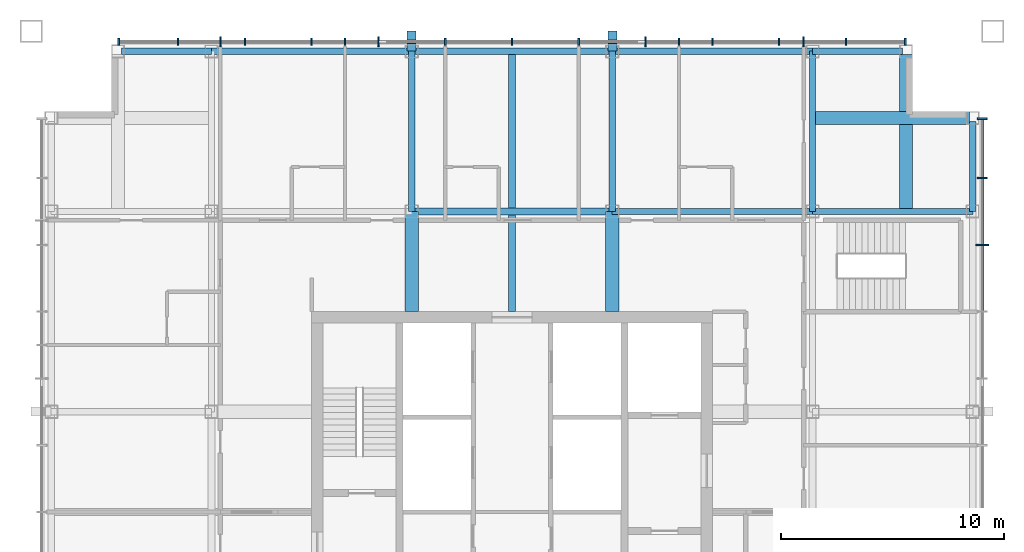
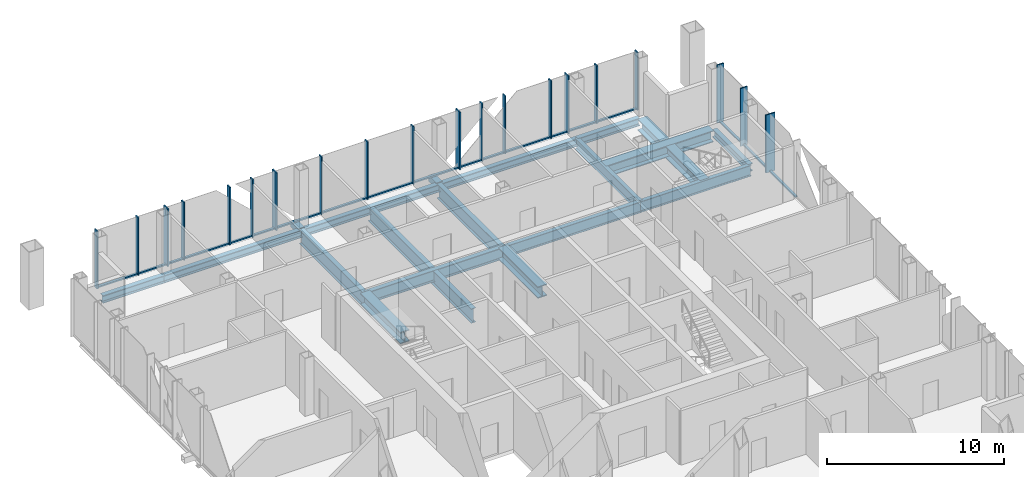
# One storey, part 5 of 13: 41 members, 17 beams, 2 elements without a shape of their own.
"""IFC4 building model written with IfcOpenShell, lengths in metres."""

from ifc_helpers import new_model, si_unit, direction, frame, origin, origin_2d, place, context, subcontext, project, spatial, rectangle, hollow_rectangle, i_section, extrude, material, layer, layer_set, material_profile, profile_set, type_object, element, aggregate, save


model = new_model("IFC4")

# Units and contexts
model_context = context("Model", 3, precision=1e-05, world=origin(), true_north=direction((0.0, 1.0)))
body_context = subcontext(model_context, "Body", "Model", "MODEL_VIEW")
ifc_project = project(units=[si_unit("LENGTHUNIT", "METRE"), si_unit("AREAUNIT", "SQUARE_METRE"), si_unit("VOLUMEUNIT", "CUBIC_METRE"), si_unit("PLANEANGLEUNIT", "RADIAN"), si_unit("MASSUNIT", "GRAM", prefix="KILO")], contexts=[model_context])

# Site, building, storey
site_placement = place(None, origin())
site = spatial("IfcSite", under=ifc_project, at=site_placement, CompositionType="ELEMENT")
building_placement = place(site_placement, origin())
building = spatial("IfcBuilding", under=site, at=building_placement, Name="Malebo Sky Hospital", CompositionType="ELEMENT")
storey_placement = place(building_placement, frame((0.0, 0.0, 274.0)))
storey = spatial("IfcBuildingStorey", under=building, at=storey_placement, Name="L66", CompositionType="ELEMENT", Elevation=274.0)

# Curtain wall, members
ifc_material_1 = material(Name="Anodised aluminium, natural silver", Category="aluminium")
ifc_layer_1 = layer(ifc_material_1, 0.25)
ifc_layer_set_1 = layer_set([ifc_layer_1], Name="WARD CURTAIN WALL NORTH AND SOUTH")
curtain_wall_type_1 = type_object("IfcCurtainWallType", Name="WARD CURTAIN WALL NORTH AND SOUTH", PredefinedType="NOTDEFINED", material=ifc_layer_set_1)
curtain_wall_1_placement = place(storey_placement, origin())
curtain_wall_1 = element("IfcCurtainWall", 1, at=curtain_wall_1_placement, inside=storey, type_object=curtain_wall_type_1, Name="NS curtain wall N", PredefinedType="NOTDEFINED")
ifc_material_profile_1 = material_profile(ifc_material_1, rectangle(XDim=0.14990234375, YDim=0.10009765625, at=origin_2d()), Name="ALUMINIUM TRANSOM 150x100")
ifc_profile_set_1 = profile_set([ifc_material_profile_1], Name="Anodised aluminium, natural silver")
member_type_1 = type_object("IfcMemberType", Name="ALUMINIUM TRANSOM 150x100", PredefinedType="USERDEFINED", material=ifc_profile_set_1)
member_1_placement = place(storey_placement, frame((42.375, 83.125, 0.050048828125), z_axis=(1.0, 0.0, 0.0), x_axis=(0.0, 1.0, 0.0)))
member_1 = element("IfcMember", 2, at=member_1_placement, type_object=member_type_1, Name="Transom 1", ObjectType="TRANSOM", PredefinedType="USERDEFINED", context=body_context, shape_type="SweptSolid", body=[
    extrude(rectangle(XDim=0.14990234375, YDim=0.10009765625, at=origin_2d()), origin(), (0.0, 0.0, 1.0), 2.58740234375),
])
member_2_placement = place(storey_placement, frame((45.03759765625, 83.125, 0.050048828125), z_axis=(1.0, 0.0, 0.0), x_axis=(0.0, 1.0, 0.0)))
member_2 = element("IfcMember", 3, at=member_2_placement, type_object=member_type_1, Name="Transom 2", ObjectType="TRANSOM", PredefinedType="USERDEFINED", context=body_context, shape_type="SweptSolid", body=[
    extrude(rectangle(XDim=0.14990234375, YDim=0.10009765625, at=origin_2d()), origin(), (0.0, 0.0, 1.0), 1.824951171875),
])
member_3_placement = place(storey_placement, frame((46.9375, 83.125, 0.050048828125), z_axis=(1.0, 0.0, 0.0), x_axis=(0.0, 1.0, 0.0)))
member_3 = element("IfcMember", 4, at=member_3_placement, type_object=member_type_1, Name="Transom 3", ObjectType="TRANSOM", PredefinedType="USERDEFINED", context=body_context, shape_type="SweptSolid", body=[
    extrude(rectangle(XDim=0.14990234375, YDim=0.10009765625, at=origin_2d()), origin(), (0.0, 0.0, 1.0), 1.02490234375),
])
member_4_placement = place(storey_placement, frame((48.03759765625, 83.125, 0.050048828125), z_axis=(1.0, 0.0, 0.0), x_axis=(0.0, 1.0, 0.0)))
member_4 = element("IfcMember", 5, at=member_4_placement, type_object=member_type_1, Name="Transom 4", ObjectType="TRANSOM", PredefinedType="USERDEFINED", context=body_context, shape_type="SweptSolid", body=[
    extrude(rectangle(XDim=0.14990234375, YDim=0.10009765625, at=origin_2d()), origin(), (0.0, 0.0, 1.0), 2.9248046875),
])
member_5_placement = place(storey_placement, frame((51.03759765625, 83.125, 0.050048828125), z_axis=(1.0, 0.0, 0.0), x_axis=(0.0, 1.0, 0.0)))
member_5 = element("IfcMember", 6, at=member_5_placement, type_object=member_type_1, Name="Transom 5", ObjectType="TRANSOM", PredefinedType="USERDEFINED", context=body_context, shape_type="SweptSolid", body=[
    extrude(rectangle(XDim=0.14990234375, YDim=0.10009765625, at=origin_2d()), origin(), (0.0, 0.0, 1.0), 1.4248046875),
])
member_6_placement = place(storey_placement, frame((52.53759765625, 83.125, 0.050048828125), z_axis=(1.0, 0.0, 0.0), x_axis=(0.0, 1.0, 0.0)))
member_6 = element("IfcMember", 7, at=member_6_placement, type_object=member_type_1, Name="Transom 6", ObjectType="TRANSOM", PredefinedType="USERDEFINED", context=body_context, shape_type="SweptSolid", body=[
    extrude(rectangle(XDim=0.14990234375, YDim=0.10009765625, at=origin_2d()), origin(), (0.0, 0.0, 1.0), 1.4248046875),
])
member_7_placement = place(storey_placement, frame((54.03759765625, 83.125, 0.050048828125), z_axis=(1.0, 0.0, 0.0), x_axis=(0.0, 1.0, 0.0)))
member_7 = element("IfcMember", 8, at=member_7_placement, type_object=member_type_1, Name="Transom 7", ObjectType="TRANSOM", PredefinedType="USERDEFINED", context=body_context, shape_type="SweptSolid", body=[
    extrude(rectangle(XDim=0.14990234375, YDim=0.10009765625, at=origin_2d()), origin(), (0.0, 0.0, 1.0), 2.9248046875),
])
member_8_placement = place(storey_placement, frame((57.03759765625, 83.125, 0.050048828125), z_axis=(1.0, 0.0, 0.0), x_axis=(0.0, 1.0, 0.0)))
member_8 = element("IfcMember", 9, at=member_8_placement, type_object=member_type_1, Name="Transom 8", ObjectType="TRANSOM", PredefinedType="USERDEFINED", context=body_context, shape_type="SweptSolid", body=[
    extrude(rectangle(XDim=0.14990234375, YDim=0.10009765625, at=origin_2d()), origin(), (0.0, 0.0, 1.0), 2.9248046875),
])
member_9_placement = place(storey_placement, frame((60.03759765625, 83.125, 0.050048828125), z_axis=(1.0, 0.0, 0.0), x_axis=(0.0, 1.0, 0.0)))
member_9 = element("IfcMember", 10, at=member_9_placement, type_object=member_type_1, Name="Transom 9", ObjectType="TRANSOM", PredefinedType="USERDEFINED", context=body_context, shape_type="SweptSolid", body=[
    extrude(rectangle(XDim=0.14990234375, YDim=0.10009765625, at=origin_2d()), origin(), (0.0, 0.0, 1.0), 2.9248046875),
])
member_10_placement = place(storey_placement, frame((63.03759765625, 83.125, 0.050048828125), z_axis=(1.0, 0.0, 0.0), x_axis=(0.0, 1.0, 0.0)))
member_10 = element("IfcMember", 11, at=member_10_placement, type_object=member_type_1, Name="Transom 10", ObjectType="TRANSOM", PredefinedType="USERDEFINED", context=body_context, shape_type="SweptSolid", body=[
    extrude(rectangle(XDim=0.14990234375, YDim=0.10009765625, at=origin_2d()), origin(), (0.0, 0.0, 1.0), 2.9248046875),
])
member_11_placement = place(storey_placement, frame((66.03759765625, 83.125, 0.050048828125), z_axis=(1.0, 0.0, 0.0), x_axis=(0.0, 1.0, 0.0)))
member_11 = element("IfcMember", 12, at=member_11_placement, type_object=member_type_1, Name="Transom 11", ObjectType="TRANSOM", PredefinedType="USERDEFINED", context=body_context, shape_type="SweptSolid", body=[
    extrude(rectangle(XDim=0.14990234375, YDim=0.10009765625, at=origin_2d()), origin(), (0.0, 0.0, 1.0), 1.4248046875),
])
member_12_placement = place(storey_placement, frame((67.53759765625, 83.125, 0.050048828125), z_axis=(1.0, 0.0, 0.0), x_axis=(0.0, 1.0, 0.0)))
member_12 = element("IfcMember", 13, at=member_12_placement, type_object=member_type_1, Name="Transom 12", ObjectType="TRANSOM", PredefinedType="USERDEFINED", context=body_context, shape_type="SweptSolid", body=[
    extrude(rectangle(XDim=0.14990234375, YDim=0.10009765625, at=origin_2d()), origin(), (0.0, 0.0, 1.0), 1.4248046875),
])
member_13_placement = place(storey_placement, frame((69.03759765625, 83.125, 0.050048828125), z_axis=(1.0, 0.0, 0.0), x_axis=(0.0, 1.0, 0.0)))
member_13 = element("IfcMember", 14, at=member_13_placement, type_object=member_type_1, Name="Transom 13", ObjectType="TRANSOM", PredefinedType="USERDEFINED", context=body_context, shape_type="SweptSolid", body=[
    extrude(rectangle(XDim=0.14990234375, YDim=0.10009765625, at=origin_2d()), origin(), (0.0, 0.0, 1.0), 2.9248046875),
])
member_14_placement = place(storey_placement, frame((72.03759765625, 83.125, 0.050048828125), z_axis=(1.0, 0.0, 0.0), x_axis=(0.0, 1.0, 0.0)))
member_14 = element("IfcMember", 15, at=member_14_placement, type_object=member_type_1, Name="Transom 14", ObjectType="TRANSOM", PredefinedType="USERDEFINED", context=body_context, shape_type="SweptSolid", body=[
    extrude(rectangle(XDim=0.14990234375, YDim=0.10009765625, at=origin_2d()), origin(), (0.0, 0.0, 1.0), 1.02490234375),
])
member_15_placement = place(storey_placement, frame((73.137451171875, 83.125, 0.050048828125), z_axis=(1.0, 0.0, 0.0), x_axis=(0.0, 1.0, 0.0)))
member_15 = element("IfcMember", 16, at=member_15_placement, type_object=member_type_1, Name="Transom 15", ObjectType="TRANSOM", PredefinedType="USERDEFINED", context=body_context, shape_type="SweptSolid", body=[
    extrude(rectangle(XDim=0.14990234375, YDim=0.10009765625, at=origin_2d()), origin(), (0.0, 0.0, 1.0), 1.824951171875),
])
member_16_placement = place(storey_placement, frame((75.03759765625, 83.125, 0.050048828125), z_axis=(1.0, 0.0, 0.0), x_axis=(0.0, 1.0, 0.0)))
member_16 = element("IfcMember", 17, at=member_16_placement, type_object=member_type_1, Name="Transom 16", ObjectType="TRANSOM", PredefinedType="USERDEFINED", context=body_context, shape_type="SweptSolid", body=[
    extrude(rectangle(XDim=0.14990234375, YDim=0.10009765625, at=origin_2d()), origin(), (0.0, 0.0, 1.0), 2.58740234375),
])

ifc_layer_2 = layer(ifc_material_1, 0.25)
ifc_layer_set_2 = layer_set([ifc_layer_2], Name="WARD CURTAIN WALL EAST AND WEST")
curtain_wall_type_2 = type_object("IfcCurtainWallType", Name="WARD CURTAIN WALL EAST AND WEST", PredefinedType="NOTDEFINED", material=ifc_layer_set_2)
curtain_wall_2_placement = place(storey_placement, origin())
curtain_wall_2 = element("IfcCurtainWall", 18, at=curtain_wall_2_placement, inside=storey, type_object=curtain_wall_type_2, Name="EW curtain wall E", PredefinedType="NOTDEFINED")
member_17_placement = place(storey_placement, frame((81.125, 79.625, 0.050048828125), z_axis=(0.0, -1.0, 0.0), x_axis=(1.0, 0.0, 0.0)))
member_17 = element("IfcMember", 19, at=member_17_placement, type_object=member_type_1, Name="Transom 1", ObjectType="TRANSOM", PredefinedType="USERDEFINED", context=body_context, shape_type="SweptSolid", body=[
    extrude(rectangle(XDim=0.14990234375, YDim=0.10009765625, at=origin_2d()), origin(), (0.0, 0.0, 1.0), 2.58740234375),
])
member_18_placement = place(storey_placement, frame((81.125, 76.96240234375, 0.050048828125), z_axis=(0.0, -1.0, 0.0), x_axis=(1.0, 0.0, 0.0)))
member_18 = element("IfcMember", 20, at=member_18_placement, type_object=member_type_1, Name="Transom 2", ObjectType="TRANSOM", PredefinedType="USERDEFINED", context=body_context, shape_type="SweptSolid", body=[
    extrude(rectangle(XDim=0.14990234375, YDim=0.10009765625, at=origin_2d()), origin(), (0.0, 0.0, 1.0), 2.9248046875),
])
member_19_placement = place(storey_placement, frame((81.125, 73.96240234375, 0.050048828125), z_axis=(0.0, -1.0, 0.0), x_axis=(1.0, 0.0, 0.0)))
member_19 = element("IfcMember", 21, at=member_19_placement, type_object=member_type_1, Name="Transom 3", ObjectType="TRANSOM", PredefinedType="USERDEFINED", context=body_context, shape_type="SweptSolid", body=[
    extrude(rectangle(XDim=0.14990234375, YDim=0.10009765625, at=origin_2d()), origin(), (0.0, 0.0, 1.0), 2.9248046875),
])

# Members
ifc_material_2 = material(Name="Steel S355", Category="steel")
ifc_material_profile_2 = material_profile(ifc_material_2, hollow_rectangle(XDim=0.39990234375, YDim=0.39990234375, WallThickness=0.02001953125, at=origin_2d()), Name="SHS 400x20")
ifc_profile_set_2 = profile_set([ifc_material_profile_2], Name="Steel S355")
member_type_2 = type_object("IfcMemberType", Name="BRACE STRUT SHS 400x20", PredefinedType="STRUT", material=ifc_profile_set_2)
for number, where, z_axis, x_axis, name in (
    (22, (55.48779296875, 83.60009765625, -0.39990234375), (0.0, -1.0, 0.0), (1.0, 0.0, 0.0), "Brace strut DN1 L66"),
    (23, (64.51220703125, 83.60009765625, -0.39990234375), (0.0, -1.0, 0.0), (1.0, 0.0, 0.0), "Brace strut DN2 L66"),
):
    element("IfcMember", number, at=place(storey_placement, frame(where, z_axis=z_axis, x_axis=x_axis)), inside=storey, type_object=member_type_2, Name=name, PredefinedType="STRUT", context=body_context, shape_type="SweptSolid", body=[
        extrude(hollow_rectangle(XDim=0.39990234375, YDim=0.39990234375, WallThickness=0.02001953125, at=origin_2d()), origin(), (0.0, 0.0, 1.0), 0.900146484375),
    ])

# Member
ifc_material_profile_3 = material_profile(ifc_material_1, rectangle(XDim=0.074951171875, YDim=0.300048828125, at=origin_2d()), Name="CW1 ALUMINIUM FIN MULLION 75x300")
ifc_profile_set_3 = profile_set([ifc_material_profile_3], Name="Anodised aluminium, natural silver")
member_type_3 = type_object("IfcMemberType", Name="CW1 ALUMINIUM FIN MULLION 75x300", PredefinedType="MULLION", material=ifc_profile_set_3)
member_20_placement = place(storey_placement, frame((42.33740234375, 83.125, 0.0), z_axis=(0.0, 0.0, 1.0), x_axis=(1.0, 0.0, 0.0)))
member_20 = element("IfcMember", 24, at=member_20_placement, type_object=member_type_3, Name="Fin mullion 1", PredefinedType="MULLION", context=body_context, shape_type="SweptSolid", body=[
    extrude(rectangle(XDim=0.074951171875, YDim=0.300048828125, at=origin_2d()), origin(), (0.0, 0.0, 1.0), 4.0),
])

member_21_placement = place(storey_placement, frame((45.0, 83.125, 0.0), z_axis=(0.0, 0.0, 1.0), x_axis=(1.0, 0.0, 0.0)))
member_21 = element("IfcMember", 25, at=member_21_placement, type_object=member_type_3, Name="Fin mullion 2", PredefinedType="MULLION", context=body_context, shape_type="SweptSolid", body=[
    extrude(rectangle(XDim=0.074951171875, YDim=0.300048828125, at=origin_2d()), origin(), (0.0, 0.0, 1.0), 4.0),
])

member_22_placement = place(storey_placement, frame((48.0, 83.125, 0.0), z_axis=(0.0, 0.0, 1.0), x_axis=(1.0, 0.0, 0.0)))
member_22 = element("IfcMember", 26, at=member_22_placement, type_object=member_type_3, Name="Fin mullion 4", PredefinedType="MULLION", context=body_context, shape_type="SweptSolid", body=[
    extrude(rectangle(XDim=0.074951171875, YDim=0.300048828125, at=origin_2d()), origin(), (0.0, 0.0, 1.0), 4.0),
])

member_23_placement = place(storey_placement, frame((51.0, 83.125, 0.0), z_axis=(0.0, 0.0, 1.0), x_axis=(1.0, 0.0, 0.0)))
member_23 = element("IfcMember", 27, at=member_23_placement, type_object=member_type_3, Name="Fin mullion 5", PredefinedType="MULLION", context=body_context, shape_type="SweptSolid", body=[
    extrude(rectangle(XDim=0.074951171875, YDim=0.300048828125, at=origin_2d()), origin(), (0.0, 0.0, 1.0), 4.0),
])

member_24_placement = place(storey_placement, frame((52.5, 83.125, 0.0), z_axis=(0.0, 0.0, 1.0), x_axis=(1.0, 0.0, 0.0)))
member_24 = element("IfcMember", 28, at=member_24_placement, type_object=member_type_3, Name="Fin mullion 6", PredefinedType="MULLION", context=body_context, shape_type="SweptSolid", body=[
    extrude(rectangle(XDim=0.074951171875, YDim=0.300048828125, at=origin_2d()), origin(), (0.0, 0.0, 1.0), 4.0),
])

member_25_placement = place(storey_placement, frame((57.0, 83.125, 0.0), z_axis=(0.0, 0.0, 1.0), x_axis=(1.0, 0.0, 0.0)))
member_25 = element("IfcMember", 29, at=member_25_placement, type_object=member_type_3, Name="Fin mullion 8", PredefinedType="MULLION", context=body_context, shape_type="SweptSolid", body=[
    extrude(rectangle(XDim=0.074951171875, YDim=0.300048828125, at=origin_2d()), origin(), (0.0, 0.0, 1.0), 4.0),
])

member_26_placement = place(storey_placement, frame((60.0, 83.125, 0.0), z_axis=(0.0, 0.0, 1.0), x_axis=(1.0, 0.0, 0.0)))
member_26 = element("IfcMember", 30, at=member_26_placement, type_object=member_type_3, Name="Fin mullion 9", PredefinedType="MULLION", context=body_context, shape_type="SweptSolid", body=[
    extrude(rectangle(XDim=0.074951171875, YDim=0.300048828125, at=origin_2d()), origin(), (0.0, 0.0, 1.0), 4.0),
])

member_27_placement = place(storey_placement, frame((63.0, 83.125, 0.0), z_axis=(0.0, 0.0, 1.0), x_axis=(1.0, 0.0, 0.0)))
member_27 = element("IfcMember", 31, at=member_27_placement, type_object=member_type_3, Name="Fin mullion 10", PredefinedType="MULLION", context=body_context, shape_type="SweptSolid", body=[
    extrude(rectangle(XDim=0.074951171875, YDim=0.300048828125, at=origin_2d()), origin(), (0.0, 0.0, 1.0), 4.0),
])

member_28_placement = place(storey_placement, frame((67.5, 83.125, 0.0), z_axis=(0.0, 0.0, 1.0), x_axis=(1.0, 0.0, 0.0)))
member_28 = element("IfcMember", 32, at=member_28_placement, type_object=member_type_3, Name="Fin mullion 12", PredefinedType="MULLION", context=body_context, shape_type="SweptSolid", body=[
    extrude(rectangle(XDim=0.074951171875, YDim=0.300048828125, at=origin_2d()), origin(), (0.0, 0.0, 1.0), 4.0),
])

member_29_placement = place(storey_placement, frame((69.0, 83.125, 0.0), z_axis=(0.0, 0.0, 1.0), x_axis=(1.0, 0.0, 0.0)))
member_29 = element("IfcMember", 33, at=member_29_placement, type_object=member_type_3, Name="Fin mullion 13", PredefinedType="MULLION", context=body_context, shape_type="SweptSolid", body=[
    extrude(rectangle(XDim=0.074951171875, YDim=0.300048828125, at=origin_2d()), origin(), (0.0, 0.0, 1.0), 4.0),
])

member_30_placement = place(storey_placement, frame((72.0, 83.125, 0.0), z_axis=(0.0, 0.0, 1.0), x_axis=(1.0, 0.0, 0.0)))
member_30 = element("IfcMember", 34, at=member_30_placement, type_object=member_type_3, Name="Fin mullion 14", PredefinedType="MULLION", context=body_context, shape_type="SweptSolid", body=[
    extrude(rectangle(XDim=0.074951171875, YDim=0.300048828125, at=origin_2d()), origin(), (0.0, 0.0, 1.0), 4.0),
])

member_31_placement = place(storey_placement, frame((75.0, 83.125, 0.0), z_axis=(0.0, 0.0, 1.0), x_axis=(1.0, 0.0, 0.0)))
member_31 = element("IfcMember", 35, at=member_31_placement, type_object=member_type_3, Name="Fin mullion 16", PredefinedType="MULLION", context=body_context, shape_type="SweptSolid", body=[
    extrude(rectangle(XDim=0.074951171875, YDim=0.300048828125, at=origin_2d()), origin(), (0.0, 0.0, 1.0), 4.0),
])

member_32_placement = place(storey_placement, frame((77.66259765625, 83.125, 0.0), z_axis=(0.0, 0.0, 1.0), x_axis=(1.0, 0.0, 0.0)))
member_32 = element("IfcMember", 36, at=member_32_placement, type_object=member_type_3, Name="Fin mullion 17", PredefinedType="MULLION", context=body_context, shape_type="SweptSolid", body=[
    extrude(rectangle(XDim=0.074951171875, YDim=0.300048828125, at=origin_2d()), origin(), (0.0, 0.0, 1.0), 4.0),
])

ifc_material_profile_4 = material_profile(ifc_material_1, rectangle(XDim=0.074951171875, YDim=0.449951171875, at=origin_2d()), Name="CW1 ALUMINIUM FIN MULLION 75x450")
ifc_profile_set_4 = profile_set([ifc_material_profile_4], Name="Anodised aluminium, natural silver")
member_type_4 = type_object("IfcMemberType", Name="CW1 ALUMINIUM FIN MULLION 75x450", PredefinedType="MULLION", material=ifc_profile_set_4)
member_33_placement = place(storey_placement, frame((46.89990234375, 83.125, 0.0), z_axis=(0.0, 0.0, 1.0), x_axis=(1.0, 0.0, 0.0)))
member_33 = element("IfcMember", 37, at=member_33_placement, type_object=member_type_4, Name="Fin mullion 3", PredefinedType="MULLION", context=body_context, shape_type="SweptSolid", body=[
    extrude(rectangle(XDim=0.074951171875, YDim=0.449951171875, at=origin_2d()), origin(), (0.0, 0.0, 1.0), 4.0),
])

member_34_placement = place(storey_placement, frame((54.0, 83.125, 0.0), z_axis=(0.0, 0.0, 1.0), x_axis=(1.0, 0.0, 0.0)))
member_34 = element("IfcMember", 38, at=member_34_placement, type_object=member_type_4, Name="Fin mullion 7", PredefinedType="MULLION", context=body_context, shape_type="SweptSolid", body=[
    extrude(rectangle(XDim=0.074951171875, YDim=0.449951171875, at=origin_2d()), origin(), (0.0, 0.0, 1.0), 4.0),
])

member_35_placement = place(storey_placement, frame((66.0, 83.125, 0.0), z_axis=(0.0, 0.0, 1.0), x_axis=(1.0, 0.0, 0.0)))
member_35 = element("IfcMember", 39, at=member_35_placement, type_object=member_type_4, Name="Fin mullion 11", PredefinedType="MULLION", context=body_context, shape_type="SweptSolid", body=[
    extrude(rectangle(XDim=0.074951171875, YDim=0.449951171875, at=origin_2d()), origin(), (0.0, 0.0, 1.0), 4.0),
])

member_36_placement = place(storey_placement, frame((73.10009765625, 83.125, 0.0), z_axis=(0.0, 0.0, 1.0), x_axis=(1.0, 0.0, 0.0)))
member_36 = element("IfcMember", 40, at=member_36_placement, type_object=member_type_4, Name="Fin mullion 15", PredefinedType="MULLION", context=body_context, shape_type="SweptSolid", body=[
    extrude(rectangle(XDim=0.074951171875, YDim=0.449951171875, at=origin_2d()), origin(), (0.0, 0.0, 1.0), 4.0),
])

aggregate(curtain_wall_1, [member_20, member_21, member_33, member_22, member_23, member_24, member_34, member_25, member_26, member_27, member_35, member_28, member_29, member_30, member_36, member_31, member_32, member_1, member_2, member_3, member_4, member_5, member_6, member_7, member_8, member_9, member_10, member_11, member_12, member_13, member_14, member_15, member_16])

ifc_material_profile_5 = material_profile(ifc_material_1, rectangle(XDim=0.074951171875, YDim=0.449951171875, at=origin_2d()), Name="CW2 ALUMINIUM FIN MULLION 75x450")
ifc_profile_set_5 = profile_set([ifc_material_profile_5], Name="Anodised aluminium, natural silver")
member_type_5 = type_object("IfcMemberType", Name="CW2 ALUMINIUM FIN MULLION 75x450", PredefinedType="MULLION", material=ifc_profile_set_5)
member_37_placement = place(storey_placement, frame((81.125, 79.66259765625, 0.0), z_axis=(0.0, 0.0, 1.0), x_axis=(0.0, -1.0, 0.0)))
member_37 = element("IfcMember", 41, at=member_37_placement, type_object=member_type_5, Name="Fin mullion 1", PredefinedType="MULLION", context=body_context, shape_type="SweptSolid", body=[
    extrude(rectangle(XDim=0.074951171875, YDim=0.449951171875, at=origin_2d()), origin(), (0.0, 0.0, 1.0), 4.0),
])

member_38_placement = place(storey_placement, frame((81.125, 77.0, 0.0), z_axis=(0.0, 0.0, 1.0), x_axis=(0.0, -1.0, 0.0)))
member_38 = element("IfcMember", 42, at=member_38_placement, type_object=member_type_5, Name="Fin mullion 2", PredefinedType="MULLION", context=body_context, shape_type="SweptSolid", body=[
    extrude(rectangle(XDim=0.074951171875, YDim=0.449951171875, at=origin_2d()), origin(), (0.0, 0.0, 1.0), 4.0),
])

ifc_material_profile_6 = material_profile(ifc_material_1, rectangle(XDim=0.074951171875, YDim=0.60009765625, at=origin_2d()), Name="CW2 ALUMINIUM FIN MULLION 75x600")
ifc_profile_set_6 = profile_set([ifc_material_profile_6], Name="Anodised aluminium, natural silver")
member_type_6 = type_object("IfcMemberType", Name="CW2 ALUMINIUM FIN MULLION 75x600", PredefinedType="MULLION", material=ifc_profile_set_6)
member_39_placement = place(storey_placement, frame((81.125, 74.0, 0.0), z_axis=(0.0, 0.0, 1.0), x_axis=(0.0, -1.0, 0.0)))
member_39 = element("IfcMember", 43, at=member_39_placement, type_object=member_type_6, Name="Fin mullion 3", PredefinedType="MULLION", context=body_context, shape_type="SweptSolid", body=[
    extrude(rectangle(XDim=0.074951171875, YDim=0.60009765625, at=origin_2d()), origin(), (0.0, 0.0, 1.0), 4.0),
])

aggregate(curtain_wall_2, [member_37, member_38, member_39, member_17, member_18, member_19])

# Beams
ifc_material_profile_7 = material_profile(ifc_material_2, i_section(OverallWidth=0.305908203125, OverallDepth=0.52392578125, WebThickness=0.02099609375, FlangeThickness=0.0400390625, FilletRadius=0.027099609375, at=origin_2d()), Name="HEM 500")
ifc_profile_set_7 = profile_set([ifc_material_profile_7], Name="Steel S355")
beam_type_1 = type_object("IfcBeamType", Name="EDGE BEAM HEM 500", PredefinedType="BEAM", material=ifc_profile_set_7)
for number, where, z_axis, x_axis, name in (
    (44, (80.699951171875, 75.5, -0.511962890625), (0.0, 1.0, 0.0), (-1.0, 0.0, 0.0), "Beam 033 L66"),
    (45, (42.449951171875, 82.699951171875, -0.511962890625), (1.0, 0.0, 0.0), (0.0, 1.0, 0.0), "Beam 063 L66"),
):
    element("IfcBeam", number, at=place(storey_placement, frame(where, z_axis=z_axis, x_axis=x_axis)), inside=storey, type_object=beam_type_1, Name=name, PredefinedType="BEAM", context=body_context, shape_type="SweptSolid", body=[
        extrude(i_section(OverallWidth=0.305908203125, OverallDepth=0.52392578125, WebThickness=0.02099609375, FlangeThickness=0.0400390625, FilletRadius=0.027099609375, at=origin_2d()), origin(), (0.0, 0.0, 1.0), 4.050048828125),
    ])
for number, where, z_axis, x_axis, name in (
    (46, (46.5, 82.699951171875, -0.511962890625), (1.0, 0.0, 0.0), (0.0, 1.0, 0.0), "Beam 064 L66"),
    (47, (55.5, 82.699951171875, -0.511962890625), (1.0, 0.0, 0.0), (0.0, 1.0, 0.0), "Beam 065 L66"),
    (48, (64.5, 82.699951171875, -0.511962890625), (1.0, 0.0, 0.0), (0.0, 1.0, 0.0), "Beam 066 L66"),
):
    element("IfcBeam", number, at=place(storey_placement, frame(where, z_axis=z_axis, x_axis=x_axis)), inside=storey, type_object=beam_type_1, Name=name, PredefinedType="BEAM", context=body_context, shape_type="SweptSolid", body=[
        extrude(i_section(OverallWidth=0.305908203125, OverallDepth=0.52392578125, WebThickness=0.02099609375, FlangeThickness=0.0400390625, FilletRadius=0.027099609375, at=origin_2d()), origin(), (0.0, 0.0, 1.0), 9.0),
    ])
beam_1_placement = place(storey_placement, frame((73.5, 82.699951171875, -0.511962890625), z_axis=(1.0, 0.0, 0.0), x_axis=(0.0, 1.0, 0.0)))
element("IfcBeam", 49, at=beam_1_placement, inside=storey, type_object=beam_type_1, Name="Beam 067 L66", PredefinedType="BEAM", context=body_context, shape_type="SweptSolid", body=[
    extrude(i_section(OverallWidth=0.305908203125, OverallDepth=0.52392578125, WebThickness=0.02099609375, FlangeThickness=0.0400390625, FilletRadius=0.027099609375, at=origin_2d()), origin(), (0.0, 0.0, 1.0), 4.050048828125),
])
ifc_material_profile_8 = material_profile(ifc_material_2, i_section(OverallWidth=0.300048828125, OverallDepth=1.0, WebThickness=0.01904296875, FlangeThickness=0.035888671875, FilletRadius=0.030029296875, at=origin_2d()), Name="HEB 1000")
ifc_profile_set_8 = profile_set([ifc_material_profile_8], Name="Steel S355")
beam_type_2 = type_object("IfcBeamType", Name="FLOOR BEAM HEB 1000", PredefinedType="BEAM", material=ifc_profile_set_8)
beam_2_placement = place(storey_placement, frame((55.5, 75.5, -0.75), z_axis=(0.0, 1.0, 0.0), x_axis=(-1.0, 0.0, 0.0)))
element("IfcBeam", 50, at=beam_2_placement, inside=storey, type_object=beam_type_2, Name="Beam 015 L66", PredefinedType="BEAM", context=body_context, shape_type="SweptSolid", body=[
    extrude(i_section(OverallWidth=0.300048828125, OverallDepth=1.0, WebThickness=0.01904296875, FlangeThickness=0.035888671875, FilletRadius=0.030029296875, at=origin_2d()), origin(), (0.0, 0.0, 1.0), 7.199951171875),
])
beam_3_placement = place(storey_placement, frame((60.0, 71.0, -0.75), z_axis=(0.0, 1.0, 0.0), x_axis=(-1.0, 0.0, 0.0)))
element("IfcBeam", 51, at=beam_3_placement, inside=storey, type_object=beam_type_2, Name="Beam 017 L66", PredefinedType="BEAM", context=body_context, shape_type="SweptSolid", body=[
    extrude(i_section(OverallWidth=0.300048828125, OverallDepth=1.0, WebThickness=0.01904296875, FlangeThickness=0.035888671875, FilletRadius=0.030029296875, at=origin_2d()), origin(), (0.0, 0.0, 1.0), 11.699951171875),
])
beam_4_placement = place(storey_placement, frame((64.5, 75.5, -0.75), z_axis=(0.0, 1.0, 0.0), x_axis=(-1.0, 0.0, 0.0)))
element("IfcBeam", 52, at=beam_4_placement, inside=storey, type_object=beam_type_2, Name="Beam 021 L66", PredefinedType="BEAM", context=body_context, shape_type="SweptSolid", body=[
    extrude(i_section(OverallWidth=0.300048828125, OverallDepth=1.0, WebThickness=0.01904296875, FlangeThickness=0.035888671875, FilletRadius=0.030029296875, at=origin_2d()), origin(), (0.0, 0.0, 1.0), 7.199951171875),
])
ifc_material_profile_9 = material_profile(ifc_material_2, i_section(OverallWidth=0.26708984375, OverallDepth=0.761962890625, WebThickness=0.014404296875, FlangeThickness=0.021484375, FilletRadius=0.01708984375, at=origin_2d()), Name="IPE 750x173")
ifc_profile_set_9 = profile_set([ifc_material_profile_9], Name="Steel S355")
beam_type_3 = type_object("IfcBeamType", Name="FLOOR BEAM IPE 750x173", PredefinedType="BEAM", material=ifc_profile_set_9)
beam_5_placement = place(storey_placement, frame((64.5, 75.5, -0.631103515625), z_axis=(1.0, 0.0, 0.0), x_axis=(0.0, 1.0, 0.0)))
element("IfcBeam", 53, at=beam_5_placement, inside=storey, type_object=beam_type_3, Name="Beam 059 L66", PredefinedType="BEAM", context=body_context, shape_type="SweptSolid", body=[
    extrude(i_section(OverallWidth=0.26708984375, OverallDepth=0.761962890625, WebThickness=0.014404296875, FlangeThickness=0.021484375, FilletRadius=0.01708984375, at=origin_2d()), origin(), (0.0, 0.0, 1.0), 9.0),
])
ifc_material_profile_10 = material_profile(ifc_material_2, i_section(OverallWidth=0.60009765625, OverallDepth=0.800048828125, WebThickness=0.0400390625, FlangeThickness=0.06005859375, at=origin_2d()), Name="PG 800x600x40x60")
ifc_profile_set_10 = profile_set([ifc_material_profile_10], Name="Steel S355")
beam_type_4 = type_object("IfcBeamType", Name="FLOOR BEAM PG 800x600x40x60", PredefinedType="BEAM", material=ifc_profile_set_10)
for number, where, z_axis, x_axis, name in (
    (54, (55.5, 71.0, -0.64990234375), (0.0, 1.0, 0.0), (-1.0, 0.0, 0.0), "Beam 014 L66"),
    (55, (64.5, 71.0, -0.64990234375), (0.0, 1.0, 0.0), (-1.0, 0.0, 0.0), "Beam 020 L66"),
):
    element("IfcBeam", number, at=place(storey_placement, frame(where, z_axis=z_axis, x_axis=x_axis)), inside=storey, type_object=beam_type_4, Name=name, PredefinedType="BEAM", context=body_context, shape_type="SweptSolid", body=[
        extrude(i_section(OverallWidth=0.60009765625, OverallDepth=0.800048828125, WebThickness=0.0400390625, FlangeThickness=0.06005859375, at=origin_2d()), origin(), (0.0, 0.0, 1.0), 4.5),
    ])
for number, where, z_axis, x_axis, name in (
    (56, (77.699951171875, 75.5, -0.64990234375), (0.0, 1.0, 0.0), (-1.0, 0.0, 0.0), "Beam 028 L66"),
    (57, (73.5, 79.699951171875, -0.64990234375), (1.0, 0.0, 0.0), (0.0, 1.0, 0.0), "Beam 062 L66"),
):
    element("IfcBeam", number, at=place(storey_placement, frame(where, z_axis=z_axis, x_axis=x_axis)), inside=storey, type_object=beam_type_4, Name=name, PredefinedType="BEAM", context=body_context, shape_type="SweptSolid", body=[
        extrude(i_section(OverallWidth=0.60009765625, OverallDepth=0.800048828125, WebThickness=0.0400390625, FlangeThickness=0.06005859375, at=origin_2d()), origin(), (0.0, 0.0, 1.0), 7.050048828125),
    ])
ifc_material_profile_11 = material_profile(ifc_material_2, i_section(OverallWidth=0.262939453125, OverallDepth=0.7529296875, WebThickness=0.011474609375, FlangeThickness=0.01708984375, FilletRadius=0.01708984375, at=origin_2d()), Name="IPE 750x137")
ifc_profile_set_11 = profile_set([ifc_material_profile_11], Name="Steel S355")
beam_type_5 = type_object("IfcBeamType", Name="FLOOR GIRDER IPE 750x137", PredefinedType="BEAM", material=ifc_profile_set_11)
for number, where, z_axis, x_axis, name in (
    (58, (73.5, 75.5, -0.62646484375), (0.0, 1.0, 0.0), (-1.0, 0.0, 0.0), "Beam 026 L66"),
    (59, (73.5, 75.5, -0.62646484375), (1.0, 0.0, 0.0), (0.0, 1.0, 0.0), "Beam 060 L66"),
):
    element("IfcBeam", number, at=place(storey_placement, frame(where, z_axis=z_axis, x_axis=x_axis)), inside=storey, type_object=beam_type_5, Name=name, PredefinedType="BEAM", context=body_context, shape_type="SweptSolid", body=[
        extrude(i_section(OverallWidth=0.262939453125, OverallDepth=0.7529296875, WebThickness=0.011474609375, FlangeThickness=0.01708984375, FilletRadius=0.01708984375, at=origin_2d()), origin(), (0.0, 0.0, 1.0), 7.199951171875),
    ])
ifc_material_profile_12 = material_profile(ifc_material_2, i_section(OverallWidth=0.300048828125, OverallDepth=0.800048828125, WebThickness=0.017578125, FlangeThickness=0.032958984375, FilletRadius=0.030029296875, at=origin_2d()), Name="HEB 800")
ifc_profile_set_12 = profile_set([ifc_material_profile_12], Name="Steel S355")
beam_type_6 = type_object("IfcBeamType", Name="RING GIRDER HEB 800", PredefinedType="BEAM", material=ifc_profile_set_12)
beam_6_placement = place(storey_placement, frame((55.5, 75.5, -0.64990234375), z_axis=(1.0, 0.0, 0.0), x_axis=(0.0, 1.0, 0.0)))
element("IfcBeam", 60, at=beam_6_placement, inside=storey, type_object=beam_type_6, Name="Beam 058 L66", PredefinedType="BEAM", context=body_context, shape_type="SweptSolid", body=[
    extrude(i_section(OverallWidth=0.300048828125, OverallDepth=0.800048828125, WebThickness=0.017578125, FlangeThickness=0.032958984375, FilletRadius=0.030029296875, at=origin_2d()), origin(), (0.0, 0.0, 1.0), 9.0),
])

save(model, "model.ifc")
